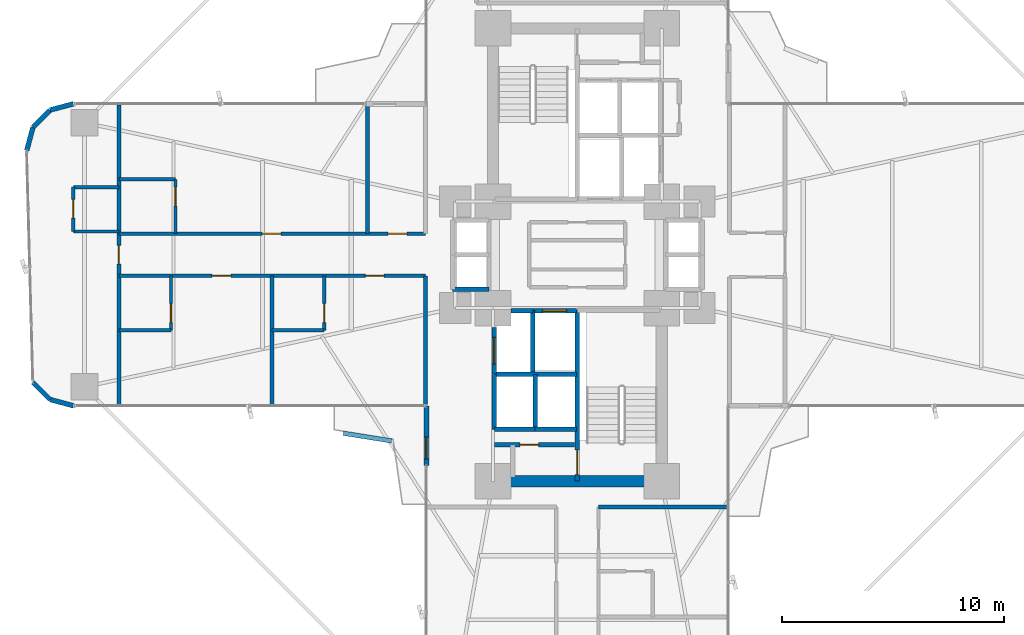
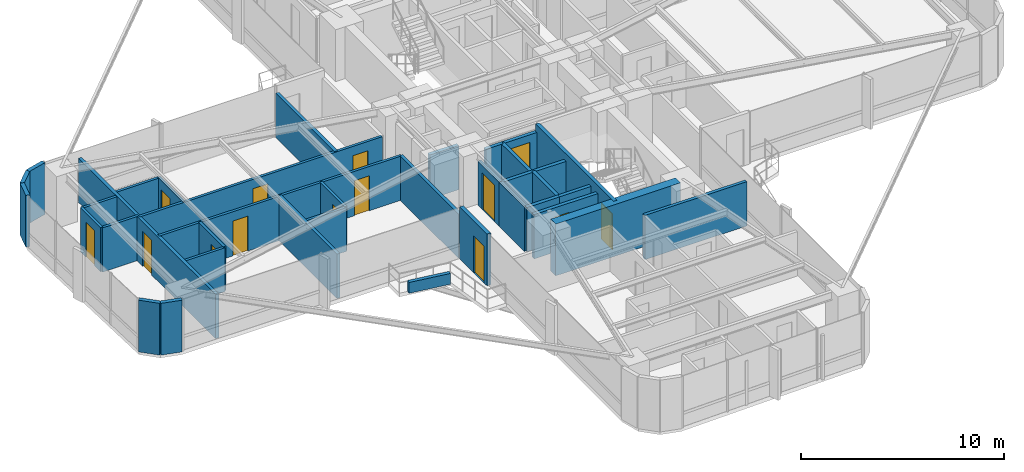
# One storey, part 22 of 25: 36 walls, 14 doors, 14 openings.
"""IFC4 building model written with IfcOpenShell, lengths in metres."""

from ifc_helpers import new_model, si_unit, direction, frame, frame_2d, origin, origin_2d, place, context, subcontext, project, spatial, rectangle, extrude, source, transform, mapped, material, layer, layer_set, type_object, element, fill, save


model = new_model("IFC4")

# Units and contexts
model_context = context("Model", 3, precision=1e-05, world=origin(), true_north=direction((0.0, 1.0)))
body_context = subcontext(model_context, "Body", "Model", "MODEL_VIEW")
ifc_project = project(units=[si_unit("LENGTHUNIT", "METRE"), si_unit("AREAUNIT", "SQUARE_METRE"), si_unit("VOLUMEUNIT", "CUBIC_METRE"), si_unit("PLANEANGLEUNIT", "RADIAN"), si_unit("MASSUNIT", "GRAM", prefix="KILO")], contexts=[model_context])

# Site, building, storey
site_placement = place(None, origin())
site = spatial("IfcSite", under=ifc_project, at=site_placement, CompositionType="ELEMENT")
building_placement = place(site_placement, origin())
building = spatial("IfcBuilding", under=site, at=building_placement, Name="Sahyath Konkavel Grand Hotel", CompositionType="ELEMENT")
storey_placement = place(building_placement, frame((0.0, 0.0, 67.800048828125)))
storey = spatial("IfcBuildingStorey", under=building, at=storey_placement, Name="L18", CompositionType="ELEMENT", Elevation=67.800048828125)

# Walls
ifc_material_1 = material(Name="Concrete C70/85", Category="concrete")
ifc_layer_1 = layer(ifc_material_1, 0.5)
ifc_layer_set_1 = layer_set([ifc_layer_1], Name="Concrete C70/85")
wall_type_1 = type_object("IfcWallType", Name="CWALL-500", PredefinedType="SHEAR", material=ifc_layer_set_1)
wall_1_placement = place(storey_placement, frame((-3.550048828125, -10.199951171875, 0.0), z_axis=(0.0, 0.0, 1.0), x_axis=(1.0, 0.0, 0.0)))
element("IfcWall", 1, at=wall_1_placement, inside=storey, type_object=wall_type_1, Name="L18 South Core Shear Wall S", PredefinedType="SHEAR", context=body_context, shape_type="SweptSolid", body=[
    extrude(rectangle(XDim=7.10009765625, YDim=0.5, at=frame_2d((3.550048828125, 0.0))), origin(), (0.0, 0.0, 1.0), 3.10986328125),
])
ifc_material_2 = material(Name="Warm Buff Sandstone Insulated Concrete C40/50", Category="masonry")
ifc_layer_2 = layer(ifc_material_2, 0.219970703125)
ifc_layer_set_2 = layer_set([ifc_layer_2], Name="Warm Buff Sandstone Insulated Concrete C40/50")
wall_type_2 = type_object("IfcWallType", Name="WLL-BALC-THRESH", PredefinedType="STANDARD", material=ifc_layer_set_2)
for number, where, z_axis, x_axis, name in (
    (2, (-22.699951171875, 6.800048828125, 0.0), (0.0, 0.0, 1.0), (-0.965951058412, -0.25872485917, 0.0), "L18 Rounded Corner Sandstone Pier 17"),
    (3, (-23.75, 6.518798828125, 0.0), (0.0, 0.0, 1.0), (-0.707106781187, -0.707106781187, 0.0), "L18 Rounded Corner Sandstone Pier 18"),
    (4, (-24.518798828125, 5.75, 0.0), (0.0, 0.0, 1.0), (-0.25872485917, -0.965951058412, 0.0), "L18 Rounded Corner Sandstone Pier 19"),
    (5, (-24.518798828125, -5.75, 0.0), (0.0, 0.0, 1.0), (0.707106781187, -0.707106781187, 0.0), "L18 Rounded Corner Sandstone Pier 21"),
    (6, (-23.75, -6.518798828125, 0.0), (0.0, 0.0, 1.0), (0.965951058412, -0.25872485917, 0.0), "L18 Rounded Corner Sandstone Pier 22"),
):
    element("IfcWall", number, at=place(storey_placement, frame(where, z_axis=z_axis, x_axis=x_axis)), inside=storey, type_object=wall_type_2, Name=name, PredefinedType="STANDARD", context=body_context, shape_type="SweptSolid", body=[
        extrude(rectangle(XDim=1.087158203125, YDim=0.219970703125, at=frame_2d((0.54345703125, 0.0))), origin(), (0.0, 0.0, 1.0), 3.10986328125),
    ])

# Wall, opening, door
wall_2_placement = place(storey_placement, frame((-6.800048828125, -6.800048828125, 0.0), z_axis=(0.0, 0.0, 1.0), x_axis=(0.0, -1.0, 0.0)))
wall_2 = element("IfcWall", 7, at=wall_2_placement, inside=storey, type_object=wall_type_2, Name="L18 Winter-Garden Threshold Wall 24", PredefinedType="STANDARD", context=body_context, shape_type="SweptSolid", body=[
    extrude(rectangle(XDim=2.699951171875, YDim=0.219970703125, at=frame_2d((1.35009765625, 0.0))), origin(), (0.0, 0.0, 1.0), 3.10986328125),
])
opening_1_placement = place(wall_2_placement, frame((1.39990234375, 0.0, 0.0)))
opening_1 = element("IfcOpeningElement", 8, at=opening_1_placement, cuts=wall_2, Name="Opening D-TR1", PredefinedType="OPENING", context=body_context, shape_type="SweptSolid", body=[
    extrude(rectangle(XDim=1.0, YDim=2.199951171875, at=frame_2d((0.5, 1.10009765625))), frame((0.0, 0.1201171875, 0.0), z_axis=(0.0, -1.0, 0.0), x_axis=(1.0, 0.0, 0.0)), (0.0, 0.0, 1.0), 0.239990234375),
])
ifc_material_3 = material(Name="Anodised Bronze Aluminium & Low-E Glazing", Category="aluminium")
door_type_1 = type_object("IfcDoorType", Name="DR-TERRACE-1000", OperationType="NOTDEFINED", PredefinedType="DOOR", material=ifc_material_3)
shared_shape_1 = source(origin(), body_context, "Body", "SweptSolid", [
    extrude(rectangle(XDim=1.0, YDim=0.050048828125, at=origin_2d()), origin(), (0.0, 0.0, 1.0), 2.199951171875),
])
door_1_placement = place(opening_1_placement, frame((0.5, 0.0, 0.0)))
door_1 = element("IfcDoor", 9, at=door_1_placement, inside=storey, type_object=door_type_1, Name="L18 Winter-Garden Terrace Door 24", OperationType="SINGLE_SWING_LEFT", OverallHeight=2.199951171875, OverallWidth=1.0, PredefinedType="DOOR", context=body_context, shape_type="MappedRepresentation", body=[
    mapped(shared_shape_1, transform((0.0, 0.0, 0.0), scale=1.0)),
])
fill(opening_1, door_1)

ifc_material_4 = material(Name="Concrete C40/50", Category="concrete")
ifc_layer_3 = layer(ifc_material_4, 0.199951171875)
ifc_layer_set_3 = layer_set([ifc_layer_3], Name="Concrete C40/50")
wall_type_3 = type_object("IfcWallType", Name="WLL-CORE-200", PredefinedType="SOLIDWALL", material=ifc_layer_set_3)
wall_3_placement = place(storey_placement, frame((0.0, -10.179931640625, 0.0), z_axis=(0.0, 0.0, 1.0), x_axis=(0.0, 1.0, 0.0)))
wall_3 = element("IfcWall", 10, at=wall_3_placement, inside=storey, type_object=wall_type_3, Name="L18 Stair ST-2 Shaft Wall W", PredefinedType="SOLIDWALL", context=body_context, shape_type="SweptSolid", body=[
    extrude(rectangle(XDim=7.679931640625, YDim=0.199951171875, at=frame_2d((3.83984375, 0.0))), origin(), (0.0, 0.0, 1.0), 3.10986328125),
])
opening_2_placement = place(wall_3_placement, frame((0.280029296875, 0.0, 0.0)))
opening_2 = element("IfcOpeningElement", 11, at=opening_2_placement, cuts=wall_3, Name="Opening D-F12B", PredefinedType="OPENING", context=body_context, shape_type="SweptSolid", body=[
    extrude(rectangle(XDim=1.10009765625, YDim=2.14990234375, at=frame_2d((0.550048828125, 1.074951171875))), frame((0.0, 0.10986328125, 0.0), z_axis=(0.0, -1.0, 0.0), x_axis=(1.0, 0.0, 0.0)), (0.0, 0.0, 1.0), 0.219970703125),
])
ifc_material_5 = material(Name="Steel E350 Smokeproof Fire Door", Category="steel")
door_type_2 = type_object("IfcDoorType", Name="DR-FD120-1100", OperationType="NOTDEFINED", PredefinedType="DOOR", material=ifc_material_5)
shared_shape_2 = source(origin(), body_context, "Body", "SweptSolid", [
    extrude(rectangle(XDim=1.10009765625, YDim=0.050048828125, at=origin_2d()), origin(), (0.0, 0.0, 1.0), 2.14990234375),
])
door_2_placement = place(opening_2_placement, frame((0.550048828125, 0.0, 0.0)))
door_2 = element("IfcDoor", 12, at=door_2_placement, inside=storey, type_object=door_type_2, Name="L18 Stair ST-2 Fire Door", OperationType="SINGLE_SWING_RIGHT", OverallHeight=2.14990234375, OverallWidth=1.10009765625, PredefinedType="DOOR", context=body_context, shape_type="MappedRepresentation", body=[
    mapped(shared_shape_2, transform((0.0, 0.0, 0.0), scale=1.0)),
])
fill(opening_2, door_2)

# Wall
wall_4_placement = place(storey_placement, frame((-2.0, -5.280029296875, 0.0), z_axis=(0.0, 0.0, 1.0), x_axis=(0.0, 1.0, 0.0)))
element("IfcWall", 13, at=wall_4_placement, inside=storey, type_object=wall_type_3, Name="L18 Partition SH-FFL2-W", PredefinedType="SOLIDWALL", context=body_context, shape_type="SweptSolid", body=[
    extrude(rectangle(XDim=2.780029296875, YDim=0.199951171875, at=frame_2d((1.39013671875, 0.0))), origin(), (0.0, 0.0, 1.0), 2.659912109375),
])

# Wall, opening, door
wall_5_placement = place(storey_placement, frame((-2.0, -2.52001953125, 0.0), z_axis=(0.0, 0.0, 1.0), x_axis=(1.0, 0.0, 0.0)))
wall_5 = element("IfcWall", 14, at=wall_5_placement, inside=storey, type_object=wall_type_3, Name="L18 Partition SH-FFL2-N", PredefinedType="SOLIDWALL", context=body_context, shape_type="SweptSolid", body=[
    extrude(rectangle(XDim=1.949951171875, YDim=0.199951171875, at=frame_2d((0.97509765625, 0.0))), origin(), (0.0, 0.0, 1.0), 2.659912109375),
])
opening_3_placement = place(wall_5_placement, frame((0.419921875, 0.0, 0.0)))
opening_3 = element("IfcOpeningElement", 15, at=opening_3_placement, cuts=wall_5, Name="Opening LD-11", PredefinedType="OPENING", context=body_context, shape_type="SweptSolid", body=[
    extrude(rectangle(XDim=1.10009765625, YDim=2.199951171875, at=frame_2d((0.550048828125, 1.10009765625))), frame((0.0, 0.10986328125, 0.0), z_axis=(0.0, -1.0, 0.0), x_axis=(1.0, 0.0, 0.0)), (0.0, 0.0, 1.0), 0.219970703125),
])
ifc_material_6 = material(Name="Bronze Lift Landing Door 1100")
door_type_3 = type_object("IfcDoorType", Name="DR-LIFT-1100", OperationType="DOUBLE_DOOR_SLIDING", PredefinedType="DOOR", material=ifc_material_6)
shared_shape_3 = source(origin(), body_context, "Body", "SweptSolid", [
    extrude(rectangle(XDim=1.10009765625, YDim=0.050048828125, at=origin_2d()), origin(), (0.0, 0.0, 1.0), 2.199951171875),
])
door_3_placement = place(opening_3_placement, frame((0.550048828125, 0.0, 0.0)))
door_3 = element("IfcDoor", 16, at=door_3_placement, inside=storey, type_object=door_type_3, Name="L18 Lift FFL-2 Landing Door", OperationType="DOUBLE_DOOR_SLIDING", OverallHeight=2.199951171875, OverallWidth=1.10009765625, PredefinedType="DOOR", context=body_context, shape_type="MappedRepresentation", body=[
    mapped(shared_shape_3, transform((0.0, 0.0, 0.0), scale=1.0)),
])
fill(opening_3, door_3)

# Wall
wall_6_placement = place(storey_placement, frame((-3.0, -2.52001953125, 0.0), z_axis=(0.0, 0.0, 1.0), x_axis=(1.0, 0.0, 0.0)))
element("IfcWall", 17, at=wall_6_placement, inside=storey, type_object=wall_type_3, Name="L18 Partition SH-SVL2-N", PredefinedType="SOLIDWALL", context=body_context, shape_type="SweptSolid", body=[
    extrude(rectangle(XDim=1.0, YDim=0.199951171875, at=frame_2d((0.5, 0.0))), origin(), (0.0, 0.0, 1.0), 2.659912109375),
])

# Wall, opening, door
wall_7_placement = place(storey_placement, frame((-3.739990234375, -5.360107421875, 0.0), z_axis=(0.0, 0.0, 1.0), x_axis=(0.0, 1.0, 0.0)))
wall_7 = element("IfcWall", 18, at=wall_7_placement, inside=storey, type_object=wall_type_3, Name="L18 Partition SH-SVL2-W", PredefinedType="SOLIDWALL", context=body_context, shape_type="SweptSolid", body=[
    extrude(rectangle(XDim=2.080078125, YDim=0.199951171875, at=frame_2d((1.0400390625, 0.0))), origin(), (0.0, 0.0, 1.0), 2.659912109375),
])
opening_4_placement = place(wall_7_placement, frame((0.43994140625, 0.0, 0.0)))
opening_4 = element("IfcOpeningElement", 19, at=opening_4_placement, cuts=wall_7, Name="Opening LD-12", PredefinedType="OPENING", context=body_context, shape_type="SweptSolid", body=[
    extrude(rectangle(XDim=1.199951171875, YDim=2.199951171875, at=frame_2d((0.60009765625, 1.10009765625))), frame((0.0, 0.10986328125, 0.0), z_axis=(0.0, -1.0, 0.0), x_axis=(1.0, 0.0, 0.0)), (0.0, 0.0, 1.0), 0.219970703125),
])
ifc_material_7 = material(Name="Stainless Steel Lift Landing Door 1200", Category="steel")
door_type_4 = type_object("IfcDoorType", Name="DR-LIFT-1200", OperationType="DOUBLE_DOOR_SLIDING", PredefinedType="DOOR", material=ifc_material_7)
shared_shape_4 = source(origin(), body_context, "Body", "SweptSolid", [
    extrude(rectangle(XDim=1.199951171875, YDim=0.050048828125, at=origin_2d()), origin(), (0.0, 0.0, 1.0), 2.199951171875),
])
door_4_placement = place(opening_4_placement, frame((0.60009765625, 0.0, 0.0)))
door_4 = element("IfcDoor", 20, at=door_4_placement, inside=storey, type_object=door_type_4, Name="L18 Service Lift SVL-2 Landing Door", OperationType="DOUBLE_DOOR_SLIDING", OverallHeight=2.199951171875, OverallWidth=1.199951171875, PredefinedType="DOOR", context=body_context, shape_type="MappedRepresentation", body=[
    mapped(shared_shape_4, transform((0.0, 0.0, 0.0), scale=1.0)),
])
fill(opening_4, door_4)

# Walls
wall_8_placement = place(storey_placement, frame((-3.739990234375, -7.860107421875, 0.0), z_axis=(0.0, 0.0, 1.0), x_axis=(0.0, 1.0, 0.0)))
element("IfcWall", 21, at=wall_8_placement, inside=storey, type_object=wall_type_3, Name="L18 Partition SH-PL3-W", PredefinedType="SOLIDWALL", context=body_context, shape_type="SweptSolid", body=[
    extrude(rectangle(XDim=2.480224609375, YDim=0.199951171875, at=frame_2d((1.240234375, 0.0))), origin(), (0.0, 0.0, 1.0), 2.659912109375),
])
wall_9_placement = place(storey_placement, frame((-3.739990234375, -7.860107421875, 0.0), z_axis=(0.0, 0.0, 1.0), x_axis=(1.0, 0.0, 0.0)))
element("IfcWall", 22, at=wall_9_placement, inside=storey, type_object=wall_type_3, Name="L18 Partition SH-PL3-S", PredefinedType="SOLIDWALL", context=body_context, shape_type="SweptSolid", body=[
    extrude(rectangle(XDim=1.840087890625, YDim=0.199951171875, at=frame_2d((0.919921875, 0.0))), origin(), (0.0, 0.0, 1.0), 2.659912109375),
])
wall_10_placement = place(storey_placement, frame((-3.739990234375, -5.3798828125, 0.0), z_axis=(0.0, 0.0, 1.0), x_axis=(1.0, 0.0, 0.0)))
element("IfcWall", 23, at=wall_10_placement, inside=storey, type_object=wall_type_3, Name="L18 Partition SH-PL34-N", PredefinedType="SOLIDWALL", context=body_context, shape_type="SweptSolid", body=[
    extrude(rectangle(XDim=3.68994140625, YDim=0.199951171875, at=frame_2d((1.844970703125, 0.0))), origin(), (0.0, 0.0, 1.0), 2.659912109375),
])
wall_11_placement = place(storey_placement, frame((-1.89990234375, -7.860107421875, 0.0), z_axis=(0.0, 0.0, 1.0), x_axis=(0.0, 1.0, 0.0)))
element("IfcWall", 24, at=wall_11_placement, inside=storey, type_object=wall_type_3, Name="L18 Partition SH-PL34-M", PredefinedType="SOLIDWALL", context=body_context, shape_type="SweptSolid", body=[
    extrude(rectangle(XDim=2.480224609375, YDim=0.199951171875, at=frame_2d((1.240234375, 0.0))), origin(), (0.0, 0.0, 1.0), 2.659912109375),
])
wall_12_placement = place(storey_placement, frame((-1.89990234375, -7.860107421875, 0.0), z_axis=(0.0, 0.0, 1.0), x_axis=(1.0, 0.0, 0.0)))
element("IfcWall", 25, at=wall_12_placement, inside=storey, type_object=wall_type_3, Name="L18 Partition SH-PL4-S", PredefinedType="SOLIDWALL", context=body_context, shape_type="SweptSolid", body=[
    extrude(rectangle(XDim=1.849853515625, YDim=0.199951171875, at=frame_2d((0.9248046875, 0.0))), origin(), (0.0, 0.0, 1.0), 2.659912109375),
])
wall_13_placement = place(storey_placement, frame((-5.6201171875, -1.56005859375, 0.0), z_axis=(0.0, 0.0, 1.0), x_axis=(1.0, 0.0, 0.0)))
element("IfcWall", 26, at=wall_13_placement, inside=storey, type_object=wall_type_3, Name="L18 Partition SH-SL12-S", PredefinedType="SOLIDWALL", context=body_context, shape_type="SweptSolid", body=[
    extrude(rectangle(XDim=1.64013671875, YDim=0.199951171875, at=frame_2d((0.820068359375, 0.0))), origin(), (0.0, 0.0, 1.0), 2.659912109375),
])

# Wall, opening, door
wall_14_placement = place(storey_placement, frame((-3.739990234375, -8.56005859375, 0.0), z_axis=(0.0, 0.0, 1.0), x_axis=(1.0, 0.0, 0.0)))
wall_14 = element("IfcWall", 27, at=wall_14_placement, inside=storey, type_object=wall_type_3, Name="L18 South FF Lobby Separation Wall", PredefinedType="SOLIDWALL", context=body_context, shape_type="SweptSolid", body=[
    extrude(rectangle(XDim=3.619873046875, YDim=0.199951171875, at=frame_2d((1.81005859375, 0.0))), origin(), (0.0, 0.0, 1.0), 2.659912109375),
])
opening_5_placement = place(wall_14_placement, frame((1.14990234375, 0.0, 0.0)))
opening_5 = element("IfcOpeningElement", 28, at=opening_5_placement, cuts=wall_14, Name="Opening D-F12D", PredefinedType="OPENING", context=body_context, shape_type="SweptSolid", body=[
    extrude(rectangle(XDim=0.85009765625, YDim=2.10009765625, at=frame_2d((0.425048828125, 1.050048828125))), frame((0.0, 0.10986328125, 0.0), z_axis=(0.0, -1.0, 0.0), x_axis=(1.0, 0.0, 0.0)), (0.0, 0.0, 1.0), 0.219970703125),
])
ifc_material_8 = material(Name="Steel E350 Core Fire Door", Category="steel")
door_type_5 = type_object("IfcDoorType", Name="DR-FD120-850", OperationType="NOTDEFINED", PredefinedType="DOOR", material=ifc_material_8)
shared_shape_5 = source(origin(), body_context, "Body", "SweptSolid", [
    extrude(rectangle(XDim=0.85009765625, YDim=0.050048828125, at=origin_2d()), origin(), (0.0, 0.0, 1.0), 2.10009765625),
])
door_5_placement = place(opening_5_placement, frame((0.425048828125, 0.0, 0.0)))
door_5 = element("IfcDoor", 29, at=door_5_placement, inside=storey, type_object=door_type_5, Name="L18 South Firefighting Lobby Door", OperationType="SINGLE_SWING_LEFT", OverallHeight=2.10009765625, OverallWidth=0.85009765625, PredefinedType="DOOR", context=body_context, shape_type="MappedRepresentation", body=[
    mapped(shared_shape_5, transform((0.0, 0.0, 0.0), scale=1.0)),
])
fill(opening_5, door_5)

# Walls
ifc_material_9 = material(Name="Twin-Stud Acoustic Gypsum Plasterboard Partition")
ifc_layer_4 = layer(ifc_material_9, 0.179931640625)
ifc_layer_set_4 = layer_set([ifc_layer_4], Name="Twin-Stud Acoustic Gypsum Plasterboard Partition")
wall_type_4 = type_object("IfcWallType", Name="WLL-DEMISE-180", PredefinedType="PARTITIONING", material=ifc_layer_set_4)
for number, where, z_axis, x_axis, name in (
    (30, (-6.85009765625, -0.949951171875, 0.0), (0.0, 0.0, 1.0), (0.0, -1.0, 0.0), "L18 Partition W-INL"),
    (31, (-13.75, -0.949951171875, 0.0), (0.0, 0.0, 1.0), (0.0, -1.0, 0.0), "L18 Partition W-W4L1-DEM"),
    (32, (-9.449951171875, 0.949951171875, 0.0), (0.0, 0.0, 1.0), (0.0, 1.0, 0.0), "L18 Partition W-WHK-DEM"),
):
    element("IfcWall", number, at=place(storey_placement, frame(where, z_axis=z_axis, x_axis=x_axis)), inside=storey, type_object=wall_type_4, Name=name, PredefinedType="PARTITIONING", context=body_context, shape_type="SweptSolid", body=[
        extrude(rectangle(XDim=5.800048828125, YDim=0.179931640625, at=frame_2d((2.89990234375, 0.0))), origin(), (0.0, 0.0, 1.0), 2.659912109375),
    ])

# Wall, opening, door
wall_15_placement = place(storey_placement, frame((-20.64990234375, 6.75, 0.0), z_axis=(0.0, 0.0, 1.0), x_axis=(0.0, -1.0, 0.0)))
wall_15 = element("IfcWall", 33, at=wall_15_placement, inside=storey, type_object=wall_type_4, Name="L18 Partition W-WTIP-END", PredefinedType="PARTITIONING", context=body_context, shape_type="SweptSolid", body=[
    extrude(rectangle(XDim=13.5, YDim=0.179931640625, at=frame_2d((6.75, 0.0))), origin(), (0.0, 0.0, 1.0), 2.659912109375),
])
opening_6_placement = place(wall_15_placement, frame((6.324951171875, 0.0, 0.0)))
opening_6 = element("IfcOpeningElement", 34, at=opening_6_placement, cuts=wall_15, Name="Opening D-F06D", PredefinedType="OPENING", context=body_context, shape_type="SweptSolid", body=[
    extrude(rectangle(XDim=0.85009765625, YDim=2.10009765625, at=frame_2d((0.425048828125, 1.050048828125))), frame((0.0, 0.10009765625, 0.0), z_axis=(0.0, -1.0, 0.0), x_axis=(1.0, 0.0, 0.0)), (0.0, 0.0, 1.0), 0.199951171875),
])
ifc_material_10 = material(Name="Fire-Rated Shaft Access Door")
door_type_6 = type_object("IfcDoorType", Name="DR-FD60-850", OperationType="NOTDEFINED", PredefinedType="DOOR", material=ifc_material_10)
door_6_placement = place(opening_6_placement, frame((0.425048828125, 0.0, 0.0)))
door_6 = element("IfcDoor", 35, at=door_6_placement, inside=storey, type_object=door_type_6, Name="L18 Door W-WTIP-ED", OperationType="SINGLE_SWING_LEFT", OverallHeight=2.10009765625, OverallWidth=0.85009765625, PredefinedType="DOOR", context=body_context, shape_type="MappedRepresentation", body=[
    mapped(shared_shape_5, transform((0.0, 0.0, 0.0), scale=1.0)),
])
fill(opening_6, door_6)

# Wall
wall_16_placement = place(storey_placement, frame((0.949951171875, -11.35009765625, 0.0), z_axis=(0.0, 0.0, 1.0), x_axis=(1.0, 0.0, 0.0)))
element("IfcWall", 36, at=wall_16_placement, inside=storey, type_object=wall_type_4, Name="L18 Partition S-INL", PredefinedType="PARTITIONING", context=body_context, shape_type="SweptSolid", body=[
    extrude(rectangle(XDim=5.800048828125, YDim=0.179931640625, at=frame_2d((2.89990234375, 0.0))), origin(), (0.0, 0.0, 1.0), 2.659912109375),
])

# Wall, openings, doors
ifc_material_11 = material(Name="Fire-Rated Gypsum Plasterboard Partition")
ifc_layer_5 = layer(ifc_material_11, 0.14990234375)
ifc_layer_set_5 = layer_set([ifc_layer_5], Name="Fire-Rated Gypsum Plasterboard Partition")
wall_type_5 = type_object("IfcWallType", Name="WLL-PART-150", PredefinedType="PARTITIONING", material=ifc_layer_set_5)
wall_17_placement = place(storey_placement, frame((-6.85009765625, -0.949951171875, 0.0), z_axis=(0.0, 0.0, 1.0), x_axis=(-1.0, 0.0, 0.0)))
wall_17 = element("IfcWall", 37, at=wall_17_placement, inside=storey, type_object=wall_type_5, Name="L18 Partition W-CL", PredefinedType="PARTITIONING", context=body_context, shape_type="SweptSolid", body=[
    extrude(rectangle(XDim=13.7998046875, YDim=0.14990234375, at=frame_2d((6.89990234375, 0.0))), origin(), (0.0, 0.0, 1.0), 2.659912109375),
])
opening_7_placement = place(wall_17_placement, frame((1.85205078125, 0.0, 0.0)))
opening_7 = element("IfcOpeningElement", 38, at=opening_7_placement, cuts=wall_17, Name="Opening D-F06D", PredefinedType="OPENING", context=body_context, shape_type="SweptSolid", body=[
    extrude(rectangle(XDim=0.85009765625, YDim=2.10009765625, at=frame_2d((0.425048828125, 1.050048828125))), frame((0.0, 0.0849609375, 0.0), z_axis=(0.0, -1.0, 0.0), x_axis=(1.0, 0.0, 0.0)), (0.0, 0.0, 1.0), 0.169921875),
])
opening_8_placement = place(wall_17_placement, frame((8.751953125, 0.0, 0.0)))
opening_8 = element("IfcOpeningElement", 39, at=opening_8_placement, cuts=wall_17, Name="Opening D-F06D", PredefinedType="OPENING", context=body_context, shape_type="SweptSolid", body=[
    extrude(rectangle(XDim=0.85009765625, YDim=2.10009765625, at=frame_2d((0.425048828125, 1.050048828125))), frame((0.0, 0.0849609375, 0.0), z_axis=(0.0, -1.0, 0.0), x_axis=(1.0, 0.0, 0.0)), (0.0, 0.0, 1.0), 0.169921875),
])
door_7_placement = place(opening_7_placement, frame((0.425048828125, 0.0, 0.0)))
door_7 = element("IfcDoor", 40, at=door_7_placement, inside=storey, type_object=door_type_6, Name="L18 Door W-W4L1-ED", OperationType="SINGLE_SWING_RIGHT", OverallHeight=2.10009765625, OverallWidth=0.85009765625, PredefinedType="DOOR", context=body_context, shape_type="MappedRepresentation", body=[
    mapped(shared_shape_5, transform((0.0, 0.0, 0.0), scale=1.0)),
])
fill(opening_7, door_7)
door_8_placement = place(opening_8_placement, frame((0.425048828125, 0.0, 0.0)))
door_8 = element("IfcDoor", 41, at=door_8_placement, inside=storey, type_object=door_type_6, Name="L18 Door W-W4L2-ED", OperationType="SINGLE_SWING_RIGHT", OverallHeight=2.10009765625, OverallWidth=0.85009765625, PredefinedType="DOOR", context=body_context, shape_type="MappedRepresentation", body=[
    mapped(shared_shape_5, transform((0.0, 0.0, 0.0), scale=1.0)),
])
fill(opening_8, door_8)

wall_18_placement = place(storey_placement, frame((-6.85009765625, 0.949951171875, 0.0), z_axis=(0.0, 0.0, 1.0), x_axis=(-1.0, 0.0, 0.0)))
wall_18 = element("IfcWall", 42, at=wall_18_placement, inside=storey, type_object=wall_type_5, Name="L18 Partition W-CR", PredefinedType="PARTITIONING", context=body_context, shape_type="SweptSolid", body=[
    extrude(rectangle(XDim=13.7998046875, YDim=0.14990234375, at=frame_2d((6.89990234375, 0.0))), origin(), (0.0, 0.0, 1.0), 2.659912109375),
])
opening_9_placement = place(wall_18_placement, frame((0.824951171875, 0.0, 0.0)))
opening_9 = element("IfcOpeningElement", 43, at=opening_9_placement, cuts=wall_18, Name="Opening D-F06D", PredefinedType="OPENING", context=body_context, shape_type="SweptSolid", body=[
    extrude(rectangle(XDim=0.85009765625, YDim=2.10009765625, at=frame_2d((0.425048828125, 1.050048828125))), frame((0.0, 0.0849609375, 0.0), z_axis=(0.0, -1.0, 0.0), x_axis=(1.0, 0.0, 0.0)), (0.0, 0.0, 1.0), 0.169921875),
])
opening_10_placement = place(wall_18_placement, frame((6.5, 0.0, 0.0)))
opening_10 = element("IfcOpeningElement", 44, at=opening_10_placement, cuts=wall_18, Name="Opening D-F06D", PredefinedType="OPENING", context=body_context, shape_type="SweptSolid", body=[
    extrude(rectangle(XDim=0.85009765625, YDim=2.10009765625, at=frame_2d((0.425048828125, 1.050048828125))), frame((0.0, 0.0849609375, 0.0), z_axis=(0.0, -1.0, 0.0), x_axis=(1.0, 0.0, 0.0)), (0.0, 0.0, 1.0), 0.169921875),
])
door_9_placement = place(opening_9_placement, frame((0.425048828125, 0.0, 0.0)))
door_9 = element("IfcDoor", 45, at=door_9_placement, inside=storey, type_object=door_type_6, Name="L18 Door W-WHK-D", OperationType="SINGLE_SWING_LEFT", OverallHeight=2.10009765625, OverallWidth=0.85009765625, PredefinedType="DOOR", context=body_context, shape_type="MappedRepresentation", body=[
    mapped(shared_shape_5, transform((0.0, 0.0, 0.0), scale=1.0)),
])
fill(opening_9, door_9)
door_10_placement = place(opening_10_placement, frame((0.425048828125, 0.0, 0.0)))
door_10 = element("IfcDoor", 46, at=door_10_placement, inside=storey, type_object=door_type_6, Name="L18 Door W-W4R2-ED", OperationType="SINGLE_SWING_LEFT", OverallHeight=2.10009765625, OverallWidth=0.85009765625, PredefinedType="DOOR", context=body_context, shape_type="MappedRepresentation", body=[
    mapped(shared_shape_5, transform((0.0, 0.0, 0.0), scale=1.0)),
])
fill(opening_10, door_10)

# Wall, opening, door
wall_19_placement = place(storey_placement, frame((-11.404052734375, -0.949951171875, 0.0), z_axis=(0.0, 0.0, 1.0), x_axis=(0.0, -1.0, 0.0)))
wall_19 = element("IfcWall", 47, at=wall_19_placement, inside=storey, type_object=wall_type_5, Name="L18 Partition W-W4L1-BS", PredefinedType="PARTITIONING", context=body_context, shape_type="SweptSolid", body=[
    extrude(rectangle(XDim=2.449951171875, YDim=0.14990234375, at=frame_2d((1.22509765625, 0.0))), origin(), (0.0, 0.0, 1.0), 2.659912109375),
])
opening_11_placement = place(wall_19_placement, frame((1.25, 0.0, 0.0)))
opening_11 = element("IfcOpeningElement", 48, at=opening_11_placement, cuts=wall_19, Name="Opening D-BT85", PredefinedType="OPENING", context=body_context, shape_type="SweptSolid", body=[
    extrude(rectangle(XDim=0.85009765625, YDim=2.10009765625, at=frame_2d((0.425048828125, 1.050048828125))), frame((0.0, 0.0849609375, 0.0), z_axis=(0.0, -1.0, 0.0), x_axis=(1.0, 0.0, 0.0)), (0.0, 0.0, 1.0), 0.169921875),
])
ifc_material_12 = material(Name="Moisture-Resistant Teak Bathroom Door")
door_type_7 = type_object("IfcDoorType", Name="DR-BATH-850", OperationType="NOTDEFINED", PredefinedType="DOOR", material=ifc_material_12)
door_11_placement = place(opening_11_placement, frame((0.425048828125, 0.0, 0.0)))
door_11 = element("IfcDoor", 49, at=door_11_placement, inside=storey, type_object=door_type_7, Name="L18 Door W-W4L1-BD", OperationType="SINGLE_SWING_LEFT", OverallHeight=2.10009765625, OverallWidth=0.85009765625, PredefinedType="DOOR", context=body_context, shape_type="MappedRepresentation", body=[
    mapped(shared_shape_5, transform((0.0, 0.0, 0.0), scale=1.0)),
])
fill(opening_11, door_11)

# Wall
wall_20_placement = place(storey_placement, frame((-11.404052734375, -3.39990234375, 0.0), z_axis=(0.0, 0.0, 1.0), x_axis=(-1.0, 0.0, 0.0)))
element("IfcWall", 50, at=wall_20_placement, inside=storey, type_object=wall_type_5, Name="L18 Partition W-W4L1-BF", PredefinedType="PARTITIONING", context=body_context, shape_type="SweptSolid", body=[
    extrude(rectangle(XDim=2.345947265625, YDim=0.14990234375, at=frame_2d((1.1728515625, 0.0))), origin(), (0.0, 0.0, 1.0), 2.6298828125),
])

# Wall, opening, door
wall_21_placement = place(storey_placement, frame((-18.303955078125, -0.949951171875, 0.0), z_axis=(0.0, 0.0, 1.0), x_axis=(0.0, -1.0, 0.0)))
wall_21 = element("IfcWall", 51, at=wall_21_placement, inside=storey, type_object=wall_type_5, Name="L18 Partition W-W4L2-BS", PredefinedType="PARTITIONING", context=body_context, shape_type="SweptSolid", body=[
    extrude(rectangle(XDim=2.449951171875, YDim=0.14990234375, at=frame_2d((1.22509765625, 0.0))), origin(), (0.0, 0.0, 1.0), 2.659912109375),
])
opening_12_placement = place(wall_21_placement, frame((1.25, 0.0, 0.0)))
opening_12 = element("IfcOpeningElement", 52, at=opening_12_placement, cuts=wall_21, Name="Opening D-BT85", PredefinedType="OPENING", context=body_context, shape_type="SweptSolid", body=[
    extrude(rectangle(XDim=0.85009765625, YDim=2.10009765625, at=frame_2d((0.425048828125, 1.050048828125))), frame((0.0, 0.0849609375, 0.0), z_axis=(0.0, -1.0, 0.0), x_axis=(1.0, 0.0, 0.0)), (0.0, 0.0, 1.0), 0.169921875),
])
door_12_placement = place(opening_12_placement, frame((0.425048828125, 0.0, 0.0)))
door_12 = element("IfcDoor", 53, at=door_12_placement, inside=storey, type_object=door_type_7, Name="L18 Door W-W4L2-BD", OperationType="SINGLE_SWING_LEFT", OverallHeight=2.10009765625, OverallWidth=0.85009765625, PredefinedType="DOOR", context=body_context, shape_type="MappedRepresentation", body=[
    mapped(shared_shape_5, transform((0.0, 0.0, 0.0), scale=1.0)),
])
fill(opening_12, door_12)

# Wall
wall_22_placement = place(storey_placement, frame((-18.303955078125, -3.39990234375, 0.0), z_axis=(0.0, 0.0, 1.0), x_axis=(-1.0, 0.0, 0.0)))
element("IfcWall", 54, at=wall_22_placement, inside=storey, type_object=wall_type_5, Name="L18 Partition W-W4L2-BF", PredefinedType="PARTITIONING", context=body_context, shape_type="SweptSolid", body=[
    extrude(rectangle(XDim=2.345947265625, YDim=0.14990234375, at=frame_2d((1.1728515625, 0.0))), origin(), (0.0, 0.0, 1.0), 2.6298828125),
])

# Wall, opening, door
wall_23_placement = place(storey_placement, frame((-18.10009765625, 0.949951171875, 0.0), z_axis=(0.0, 0.0, 1.0), x_axis=(0.0, 1.0, 0.0)))
wall_23 = element("IfcWall", 55, at=wall_23_placement, inside=storey, type_object=wall_type_5, Name="L18 Partition W-W4R2-BS", PredefinedType="PARTITIONING", context=body_context, shape_type="SweptSolid", body=[
    extrude(rectangle(XDim=2.449951171875, YDim=0.14990234375, at=frame_2d((1.22509765625, 0.0))), origin(), (0.0, 0.0, 1.0), 2.659912109375),
])
opening_13_placement = place(wall_23_placement, frame((1.25, 0.0, 0.0)))
opening_13 = element("IfcOpeningElement", 56, at=opening_13_placement, cuts=wall_23, Name="Opening D-BT85", PredefinedType="OPENING", context=body_context, shape_type="SweptSolid", body=[
    extrude(rectangle(XDim=0.85009765625, YDim=2.10009765625, at=frame_2d((0.425048828125, 1.050048828125))), frame((0.0, 0.0849609375, 0.0), z_axis=(0.0, -1.0, 0.0), x_axis=(1.0, 0.0, 0.0)), (0.0, 0.0, 1.0), 0.169921875),
])
door_13_placement = place(opening_13_placement, frame((0.425048828125, 0.0, 0.0)))
door_13 = element("IfcDoor", 57, at=door_13_placement, inside=storey, type_object=door_type_7, Name="L18 Door W-W4R2-BD", OperationType="SINGLE_SWING_RIGHT", OverallHeight=2.10009765625, OverallWidth=0.85009765625, PredefinedType="DOOR", context=body_context, shape_type="MappedRepresentation", body=[
    mapped(shared_shape_5, transform((0.0, 0.0, 0.0), scale=1.0)),
])
fill(opening_13, door_13)

# Walls
wall_24_placement = place(storey_placement, frame((-18.10009765625, 3.39990234375, 0.0), z_axis=(0.0, 0.0, 1.0), x_axis=(-1.0, 0.0, 0.0)))
element("IfcWall", 58, at=wall_24_placement, inside=storey, type_object=wall_type_5, Name="L18 Partition W-W4R2-BF", PredefinedType="PARTITIONING", context=body_context, shape_type="SweptSolid", body=[
    extrude(rectangle(XDim=2.5498046875, YDim=0.14990234375, at=frame_2d((1.27490234375, 0.0))), origin(), (0.0, 0.0, 1.0), 2.6298828125),
])
wall_25_placement = place(storey_placement, frame((-20.64990234375, 1.050048828125, 0.0), z_axis=(0.0, 0.0, 1.0), x_axis=(-1.0, 0.0, 0.0)))
element("IfcWall", 59, at=wall_25_placement, inside=storey, type_object=wall_type_5, Name="L18 Partition W-WTIP-BN", PredefinedType="PARTITIONING", context=body_context, shape_type="SweptSolid", body=[
    extrude(rectangle(XDim=2.050048828125, YDim=0.14990234375, at=frame_2d((1.02490234375, 0.0))), origin(), (0.0, 0.0, 1.0), 2.659912109375),
])
wall_26_placement = place(storey_placement, frame((-20.64990234375, 3.050048828125, 0.0), z_axis=(0.0, 0.0, 1.0), x_axis=(-1.0, 0.0, 0.0)))
element("IfcWall", 60, at=wall_26_placement, inside=storey, type_object=wall_type_5, Name="L18 Partition W-WTIP-BS", PredefinedType="PARTITIONING", context=body_context, shape_type="SweptSolid", body=[
    extrude(rectangle(XDim=2.050048828125, YDim=0.14990234375, at=frame_2d((1.02490234375, 0.0))), origin(), (0.0, 0.0, 1.0), 2.6298828125),
])

# Wall, opening, door
wall_27_placement = place(storey_placement, frame((-22.699951171875, 3.050048828125, 0.0), z_axis=(0.0, 0.0, 1.0), x_axis=(0.0, -1.0, 0.0)))
wall_27 = element("IfcWall", 61, at=wall_27_placement, inside=storey, type_object=wall_type_5, Name="L18 Partition W-WTIP-BE", PredefinedType="PARTITIONING", context=body_context, shape_type="SweptSolid", body=[
    extrude(rectangle(XDim=2.0, YDim=0.14990234375, at=frame_2d((1.0, 0.0))), origin(), (0.0, 0.0, 1.0), 2.659912109375),
])
opening_14_placement = place(wall_27_placement, frame((0.550048828125, 0.0, 0.0)))
opening_14 = element("IfcOpeningElement", 62, at=opening_14_placement, cuts=wall_27, Name="Opening D-BT85", PredefinedType="OPENING", context=body_context, shape_type="SweptSolid", body=[
    extrude(rectangle(XDim=0.85009765625, YDim=2.10009765625, at=frame_2d((0.425048828125, 1.050048828125))), frame((0.0, 0.0849609375, 0.0), z_axis=(0.0, -1.0, 0.0), x_axis=(1.0, 0.0, 0.0)), (0.0, 0.0, 1.0), 0.169921875),
])
door_14_placement = place(opening_14_placement, frame((0.425048828125, 0.0, 0.0)))
door_14 = element("IfcDoor", 63, at=door_14_placement, inside=storey, type_object=door_type_7, Name="L18 Door W-WTIP-BD", OperationType="SINGLE_SWING_RIGHT", OverallHeight=2.10009765625, OverallWidth=0.85009765625, PredefinedType="DOOR", context=body_context, shape_type="MappedRepresentation", body=[
    mapped(shared_shape_5, transform((0.0, 0.0, 0.0), scale=1.0)),
])
fill(opening_14, door_14)

# Wall
ifc_material_13 = material(Name="Warm Buff Sandstone Planter Wall", Category="masonry")
ifc_layer_6 = layer(ifc_material_13, 0.199951171875)
ifc_layer_set_6 = layer_set([ifc_layer_6], Name="Warm Buff Sandstone Planter Wall")
wall_type_6 = type_object("IfcWallType", Name="WLL-PLANTER-200", PredefinedType="PARAPET", material=ifc_layer_set_6)
wall_28_placement = place(storey_placement, frame((-10.537109375, -8.03662109375, 0.0), z_axis=(0.0, 0.0, 1.0), x_axis=(0.987467647017, -0.1578215641, 0.0)))
element("IfcWall", 64, at=wall_28_placement, inside=storey, type_object=wall_type_6, Name="L18 Sky-Garden Stone Planter PLANTER SW", PredefinedType="PARAPET", context=body_context, shape_type="SweptSolid", body=[
    extrude(rectangle(XDim=2.1982421875, YDim=0.199951171875, at=frame_2d((1.09912109375, 0.0))), origin(), (0.0, 0.0, 1.0), 0.64990234375),
])

save(model, "model.ifc")
